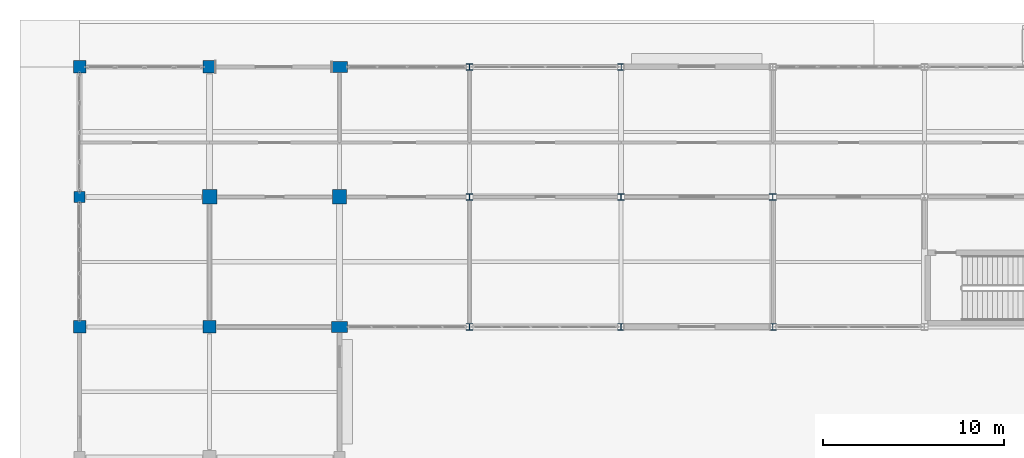
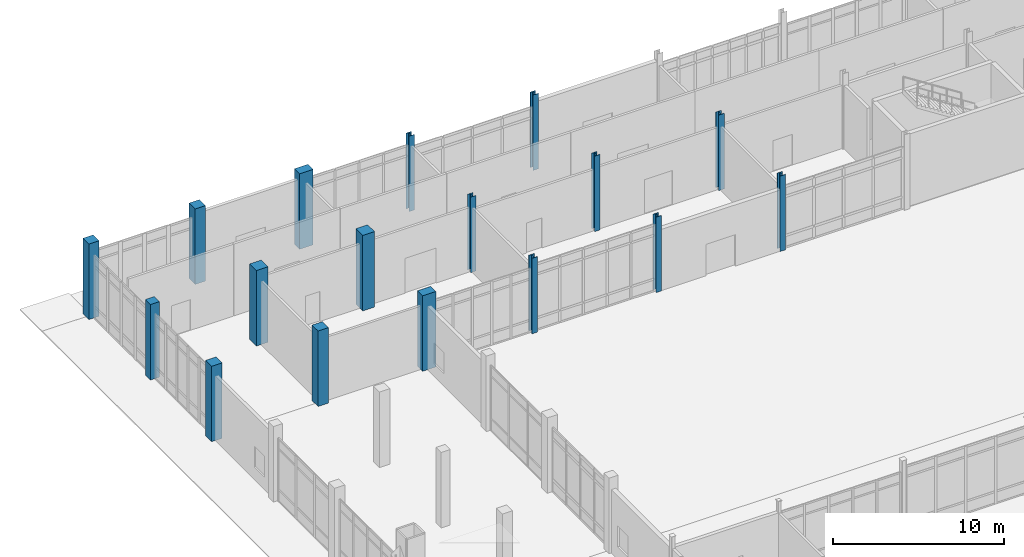
# One storey, part 12 of 229: 17 columns.
"""IFC4 building model written with IfcOpenShell, lengths in metres."""

from ifc_helpers import new_model, si_unit, direction, frame, origin, origin_2d, place, context, subcontext, project, spatial, rectangle, i_section, extrude, material, material_profile, profile_set, type_object, element, save


model = new_model("IFC4")

# Units and contexts
model_context = context("Model", 3, precision=1e-05, world=origin(), true_north=direction((0.0, 1.0)))
body_context = subcontext(model_context, "Body", "Model", "MODEL_VIEW")
ifc_project = project(units=[si_unit("LENGTHUNIT", "METRE"), si_unit("AREAUNIT", "SQUARE_METRE"), si_unit("VOLUMEUNIT", "CUBIC_METRE"), si_unit("PLANEANGLEUNIT", "RADIAN"), si_unit("MASSUNIT", "GRAM", prefix="KILO")], contexts=[model_context])

# Site, building, storey
site_placement = place(None, origin())
site = spatial("IfcSite", under=ifc_project, at=site_placement, CompositionType="ELEMENT")
building_placement = place(site_placement, origin())
building = spatial("IfcBuilding", under=site, at=building_placement, Name="Calvrana Isthmian Art Gallery", CompositionType="ELEMENT")
storey_placement = place(building_placement, origin())
storey = spatial("IfcBuildingStorey", under=building, at=storey_placement, Name="L00", CompositionType="ELEMENT", Elevation=0.0)

# Columns
ifc_material_1 = material(Name="Concrete C40/50", Category="concrete")
ifc_material_profile_1 = material_profile(ifc_material_1, rectangle(XDim=0.60009765625, YDim=0.60009765625, at=origin_2d()), Name="RC600X600")
ifc_profile_set_1 = profile_set([ifc_material_profile_1], Name="Concrete C40/50")
column_type_1 = type_object("IfcColumnType", Name="COL-RC-RC600X600", PredefinedType="COLUMN", material=ifc_profile_set_1)
column_placement = place(storey_placement, frame((0.0, 105.60009765625, 0.0), z_axis=(0.0, 0.0, 1.0), x_axis=(1.0, 0.0, 0.0)))
element("IfcColumn", 1, at=column_placement, inside=storey, type_object=column_type_1, Name="Column 01/O L00", PredefinedType="COLUMN", context=body_context, shape_type="SweptSolid", body=[
    extrude(rectangle(XDim=0.60009765625, YDim=0.60009765625, at=origin_2d()), origin(), (0.0, 0.0, 1.0), 5.39990234375),
])
ifc_material_profile_2 = material_profile(ifc_material_1, rectangle(XDim=0.699951171875, YDim=0.699951171875, at=origin_2d()), Name="RC700X700")
ifc_profile_set_2 = profile_set([ifc_material_profile_2], Name="Concrete C40/50")
column_type_2 = type_object("IfcColumnType", Name="COL-RC-RC700X700", PredefinedType="COLUMN", material=ifc_profile_set_2)
for number, where, z_axis, x_axis, name in (
    (2, (0.0, 98.39990234375, 0.0), (0.0, 0.0, 1.0), (1.0, 0.0, 0.0), "Column 01/N L00"),
    (3, (0.0, 112.800048828125, 0.0), (0.0, 0.0, 1.0), (1.0, 0.0, 0.0), "Column 01/P L00"),
    (4, (7.199951171875, 98.39990234375, 0.0), (0.0, 0.0, 1.0), (1.0, 0.0, 0.0), "Column 02/N L00"),
    (5, (7.199951171875, 112.800048828125, 0.0), (0.0, 0.0, 1.0), (1.0, 0.0, 0.0), "Column 02/P L00"),
):
    element("IfcColumn", number, at=place(storey_placement, frame(where, z_axis=z_axis, x_axis=x_axis)), inside=storey, type_object=column_type_2, Name=name, PredefinedType="COLUMN", context=body_context, shape_type="SweptSolid", body=[
        extrude(rectangle(XDim=0.699951171875, YDim=0.699951171875, at=origin_2d()), origin(), (0.0, 0.0, 1.0), 5.39990234375),
    ])
ifc_material_profile_3 = material_profile(ifc_material_1, rectangle(XDim=0.800048828125, YDim=0.800048828125, at=origin_2d()), Name="RC800X800")
ifc_profile_set_3 = profile_set([ifc_material_profile_3], Name="Concrete C40/50")
column_type_3 = type_object("IfcColumnType", Name="COL-RC-RC800X800", PredefinedType="COLUMN", material=ifc_profile_set_3)
for number, where, z_axis, x_axis, name in (
    (6, (7.199951171875, 105.60009765625, 0.0), (0.0, 0.0, 1.0), (1.0, 0.0, 0.0), "Column 02/O L00"),
    (7, (14.39990234375, 105.60009765625, 0.0), (0.0, 0.0, 1.0), (1.0, 0.0, 0.0), "Column 03/O L00"),
):
    element("IfcColumn", number, at=place(storey_placement, frame(where, z_axis=z_axis, x_axis=x_axis)), inside=storey, type_object=column_type_3, Name=name, PredefinedType="COLUMN", context=body_context, shape_type="SweptSolid", body=[
        extrude(rectangle(XDim=0.800048828125, YDim=0.800048828125, at=origin_2d()), origin(), (0.0, 0.0, 1.0), 5.39990234375),
    ])
ifc_material_profile_4 = material_profile(ifc_material_1, rectangle(XDim=0.89990234375, YDim=0.60009765625, at=origin_2d()), Name="RC900X600")
ifc_profile_set_4 = profile_set([ifc_material_profile_4], Name="Concrete C40/50")
column_type_4 = type_object("IfcColumnType", Name="COL-RC-RC900X600", PredefinedType="COLUMN", material=ifc_profile_set_4)
for number, where, z_axis, x_axis, name in (
    (8, (14.39990234375, 98.39990234375, 0.0), (0.0, 0.0, 1.0), (1.0, 0.0, 0.0), "Column 03/N L00"),
    (9, (14.39990234375, 112.800048828125, 0.0), (0.0, 0.0, 1.0), (1.0, 0.0, 0.0), "Column 03/P L00"),
):
    element("IfcColumn", number, at=place(storey_placement, frame(where, z_axis=z_axis, x_axis=x_axis)), inside=storey, type_object=column_type_4, Name=name, PredefinedType="COLUMN", context=body_context, shape_type="SweptSolid", body=[
        extrude(rectangle(XDim=0.89990234375, YDim=0.60009765625, at=origin_2d()), origin(), (0.0, 0.0, 1.0), 5.39990234375),
    ])
ifc_material_2 = material(Name="Steel ASTM A992 Gr 50", Category="steel")
ifc_material_profile_5 = material_profile(ifc_material_2, i_section(OverallWidth=0.37109375, OverallDepth=0.363037109375, WebThickness=0.01318359375, FlangeThickness=0.021728515625, FilletRadius=0.02490234375, at=origin_2d()), Name="W14X109")
ifc_profile_set_5 = profile_set([ifc_material_profile_5], Name="Steel ASTM A992 Gr 50")
column_type_5 = type_object("IfcColumnType", Name="COL-STL-W14X109", PredefinedType="COLUMN", material=ifc_profile_set_5)
for number, where, z_axis, x_axis, name in (
    (10, (21.60009765625, 112.800048828125, 0.0), (0.0, 0.0, 1.0), (1.0, 0.0, 0.0), "Column 04/P L00"),
    (11, (38.39990234375, 98.39990234375, 0.0), (0.0, 0.0, 1.0), (1.0, 0.0, 0.0), "Column 06/N L00"),
):
    element("IfcColumn", number, at=place(storey_placement, frame(where, z_axis=z_axis, x_axis=x_axis)), inside=storey, type_object=column_type_5, Name=name, PredefinedType="COLUMN", context=body_context, shape_type="SweptSolid", body=[
        extrude(i_section(OverallWidth=0.37109375, OverallDepth=0.363037109375, WebThickness=0.01318359375, FlangeThickness=0.021728515625, FilletRadius=0.02490234375, at=origin_2d()), origin(), (0.0, 0.0, 1.0), 5.39990234375),
    ])
ifc_material_profile_6 = material_profile(ifc_material_2, i_section(OverallWidth=0.373046875, OverallDepth=0.367919921875, WebThickness=0.014892578125, FlangeThickness=0.02392578125, FilletRadius=0.02490234375, at=origin_2d()), Name="W14X120")
ifc_profile_set_6 = profile_set([ifc_material_profile_6], Name="Steel ASTM A992 Gr 50")
column_type_6 = type_object("IfcColumnType", Name="COL-STL-W14X120", PredefinedType="COLUMN", material=ifc_profile_set_6)
for number, where, z_axis, x_axis, name in (
    (12, (30.0, 98.39990234375, 0.0), (0.0, 0.0, 1.0), (1.0, 0.0, 0.0), "Column 05/N L00"),
    (13, (38.39990234375, 105.60009765625, 0.0), (0.0, 0.0, 1.0), (1.0, 0.0, 0.0), "Column 06/O L00"),
):
    element("IfcColumn", number, at=place(storey_placement, frame(where, z_axis=z_axis, x_axis=x_axis)), inside=storey, type_object=column_type_6, Name=name, PredefinedType="COLUMN", context=body_context, shape_type="SweptSolid", body=[
        extrude(i_section(OverallWidth=0.373046875, OverallDepth=0.367919921875, WebThickness=0.014892578125, FlangeThickness=0.02392578125, FilletRadius=0.02490234375, at=origin_2d()), origin(), (0.0, 0.0, 1.0), 5.39990234375),
    ])
ifc_material_profile_7 = material_profile(ifc_material_2, i_section(OverallWidth=0.373046875, OverallDepth=0.373046875, WebThickness=0.016357421875, FlangeThickness=0.026123046875, FilletRadius=0.02490234375, at=origin_2d()), Name="W14X132")
ifc_profile_set_7 = profile_set([ifc_material_profile_7], Name="Steel ASTM A992 Gr 50")
column_type_7 = type_object("IfcColumnType", Name="COL-STL-W14X132", PredefinedType="COLUMN", material=ifc_profile_set_7)
for number, where, z_axis, x_axis, name in (
    (14, (21.60009765625, 98.39990234375, 0.0), (0.0, 0.0, 1.0), (1.0, 0.0, 0.0), "Column 04/N L00"),
    (15, (30.0, 105.60009765625, 0.0), (0.0, 0.0, 1.0), (1.0, 0.0, 0.0), "Column 05/O L00"),
):
    element("IfcColumn", number, at=place(storey_placement, frame(where, z_axis=z_axis, x_axis=x_axis)), inside=storey, type_object=column_type_7, Name=name, PredefinedType="COLUMN", context=body_context, shape_type="SweptSolid", body=[
        extrude(i_section(OverallWidth=0.373046875, OverallDepth=0.373046875, WebThickness=0.016357421875, FlangeThickness=0.026123046875, FilletRadius=0.02490234375, at=origin_2d()), origin(), (0.0, 0.0, 1.0), 5.39990234375),
    ])
ifc_material_profile_8 = material_profile(ifc_material_2, i_section(OverallWidth=0.367919921875, OverallDepth=0.35595703125, WebThickness=0.01123046875, FlangeThickness=0.01806640625, FilletRadius=0.02490234375, at=origin_2d()), Name="W14X90")
ifc_profile_set_8 = profile_set([ifc_material_profile_8], Name="Steel ASTM A992 Gr 50")
column_type_8 = type_object("IfcColumnType", Name="COL-STL-W14X90", PredefinedType="COLUMN", material=ifc_profile_set_8)
for number, where, z_axis, x_axis, name in (
    (16, (21.60009765625, 105.60009765625, 0.0), (0.0, 0.0, 1.0), (1.0, 0.0, 0.0), "Column 04/O L00"),
    (17, (30.0, 112.800048828125, 0.0), (0.0, 0.0, 1.0), (1.0, 0.0, 0.0), "Column 05/P L00"),
):
    element("IfcColumn", number, at=place(storey_placement, frame(where, z_axis=z_axis, x_axis=x_axis)), inside=storey, type_object=column_type_8, Name=name, PredefinedType="COLUMN", context=body_context, shape_type="SweptSolid", body=[
        extrude(i_section(OverallWidth=0.367919921875, OverallDepth=0.35595703125, WebThickness=0.01123046875, FlangeThickness=0.01806640625, FilletRadius=0.02490234375, at=origin_2d()), origin(), (0.0, 0.0, 1.0), 5.39990234375),
    ])

save(model, "model.ifc")
